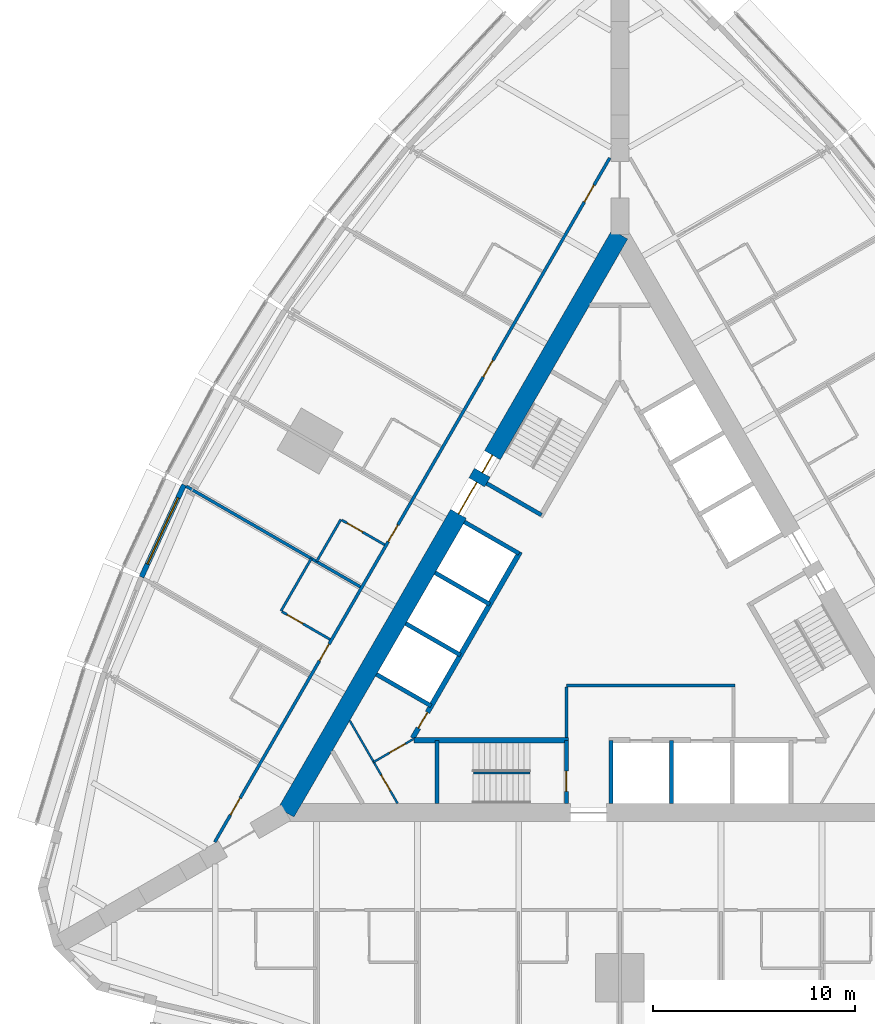
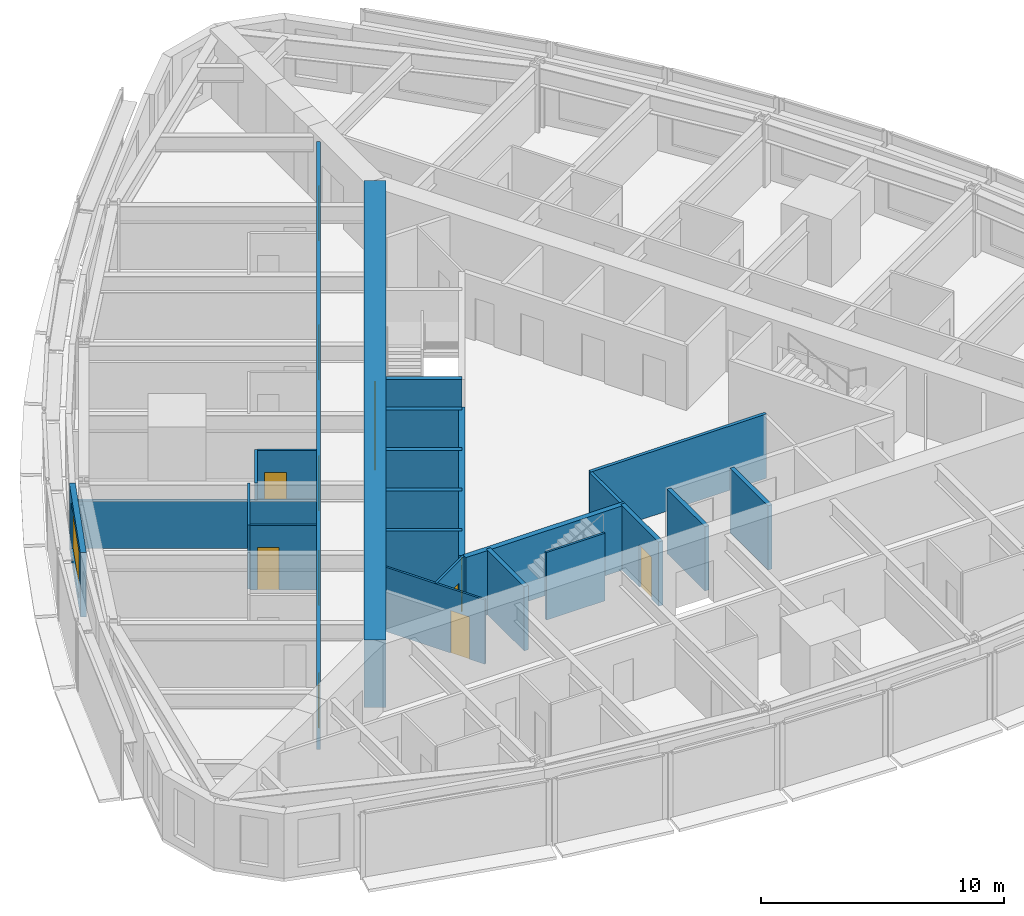
# One storey, part 9 of 14: 24 walls, 13 doors, 1 window, 14 openings.
"""IFC4 building model written with IfcOpenShell, lengths in metres."""

from ifc_helpers import new_model, si_unit, direction, frame, frame_2d, origin, place, context, subcontext, project, spatial, rectangle, extrude, material, layer, layer_set, type_object, element, fill, save


model = new_model("IFC4")

# Units and contexts
model_context = context("Model", 3, precision=1e-05, world=origin(), true_north=direction((0.0, 1.0)))
body_context = subcontext(model_context, "Body", "Model", "MODEL_VIEW")
ifc_project = project(units=[si_unit("LENGTHUNIT", "METRE"), si_unit("AREAUNIT", "SQUARE_METRE"), si_unit("VOLUMEUNIT", "CUBIC_METRE"), si_unit("PLANEANGLEUNIT", "RADIAN"), si_unit("MASSUNIT", "GRAM", prefix="KILO")], contexts=[model_context])

# Site, building, storey
site_placement = place(None, origin())
site = spatial("IfcSite", under=ifc_project, at=site_placement, CompositionType="ELEMENT")
building_placement = place(site_placement, origin())
building = spatial("IfcBuilding", under=site, at=building_placement, Name="Trikona Tower", CompositionType="ELEMENT")
storey_placement = place(building_placement, frame((0.0, 0.0, 76.10009765625)))
storey = spatial("IfcBuildingStorey", under=building, at=storey_placement, Name="L19", CompositionType="ELEMENT", Elevation=76.10009765625)

# Wall
ifc_material_1 = material(Name="Metal stud and cement board", Category="gypsum")
ifc_layer_1 = layer(ifc_material_1, 0.1201171875)
ifc_layer_set_1 = layer_set([ifc_layer_1], Name="Bathroom wall 120")
wall_type_1 = type_object("IfcWallType", Name="Bathroom wall 120", PredefinedType="PLUMBINGWALL", material=ifc_layer_set_1)
wall_1_placement = place(storey_placement, frame((-13.79345703125, 4.96142578125, 0.0), z_axis=(0.0, 0.0, 1.0), x_axis=(-0.500001309137, -0.866024647952, 0.0)))
element("IfcWall", 1, at=wall_1_placement, inside=storey, type_object=wall_type_1, Name="Bathroom wall 1914", PredefinedType="PLUMBINGWALL", context=body_context, shape_type="SweptSolid", body=[
    extrude(rectangle(XDim=2.39990234375, YDim=0.1201171875, at=frame_2d((1.199951171875, 0.0))), origin(), (0.0, 0.0, 1.0), 3.23486328125),
])

# Wall, opening, door
wall_2_placement = place(storey_placement, frame((-11.62841796875, 3.71142578125, 0.0), z_axis=(0.0, 0.0, 1.0), x_axis=(-0.866048967903, 0.499959183527, 0.0)))
wall_2 = element("IfcWall", 2, at=wall_2_placement, inside=storey, type_object=wall_type_1, Name="Bathroom wall 1914", PredefinedType="PLUMBINGWALL", context=body_context, shape_type="SweptSolid", body=[
    extrude(rectangle(XDim=2.440185546875, YDim=0.1201171875, at=frame_2d((1.22021484375, 0.0))), origin(), (0.0, 0.0, 1.0), 3.23486328125),
])
opening_1_placement = place(wall_2_placement, frame((1.25, 0.0, 0.0)))
opening_1 = element("IfcOpeningElement", 3, at=opening_1_placement, cuts=wall_2, Name="Opening D2", PredefinedType="OPENING", context=body_context, shape_type="SweptSolid", body=[
    extrude(rectangle(XDim=0.89990234375, YDim=2.1298828125, at=frame_2d((0.449951171875, 1.06494140625))), frame((0.0, 0.070068359375, 0.0), z_axis=(0.0, -1.0, 0.0), x_axis=(1.0, 0.0, 0.0)), (0.0, 0.0, 1.0), 0.14013671875),
])
ifc_material_2 = material(Name="Steel door frame with solid-core timber leaf", Category="steel")
door_type_1 = type_object("IfcDoorType", Name="Bathroom door 900x2130", OperationType="SLIDING_TO_LEFT", PredefinedType="DOOR", material=ifc_material_2)
door_1_placement = place(opening_1_placement, origin())
door_1 = element("IfcDoor", 4, at=door_1_placement, inside=storey, type_object=door_type_1, Name="Bathroom door 1914", OperationType="SLIDING_TO_LEFT", OverallHeight=2.1298828125, OverallWidth=0.89990234375, PredefinedType="DOOR", context=body_context, shape_type="SweptSolid", body=[
    extrude(rectangle(XDim=0.89990234375, YDim=2.1298828125, at=frame_2d((0.449951171875, 1.06494140625))), frame((0.0, 0.02490234375, 0.0), z_axis=(0.0, -1.0, 0.0), x_axis=(1.0, 0.0, 0.0)), (0.0, 0.0, 1.0), 0.050048828125),
])
fill(opening_1, door_1)

# Wall
wall_3_placement = place(storey_placement, frame((-15.25341796875, 3.032958984375, 0.0), z_axis=(0.0, 0.0, 1.0), x_axis=(-0.499990139034, -0.866031096941, 0.0)))
element("IfcWall", 5, at=wall_3_placement, inside=storey, type_object=wall_type_1, Name="Bathroom wall 1915", PredefinedType="PLUMBINGWALL", context=body_context, shape_type="SweptSolid", body=[
    extrude(rectangle(XDim=3.0, YDim=0.1201171875, at=frame_2d((1.5, 0.0))), origin(), (0.0, 0.0, 1.0), 3.23486328125),
])

# Wall, opening, door
wall_4_placement = place(storey_placement, frame((-14.32861328125, -0.965087890625, 0.0), z_axis=(0.0, 0.0, 1.0), x_axis=(-0.866035715982, 0.499982138324, 0.0)))
wall_4 = element("IfcWall", 6, at=wall_4_placement, inside=storey, type_object=wall_type_1, Name="Bathroom wall 1915", PredefinedType="PLUMBINGWALL", context=body_context, shape_type="SweptSolid", body=[
    extrude(rectangle(XDim=2.73974609375, YDim=0.1201171875, at=frame_2d((1.369873046875, 0.0))), origin(), (0.0, 0.0, 1.0), 3.23486328125),
])
opening_2_placement = place(wall_4_placement, frame((1.550048828125, 0.0, 0.0)))
opening_2 = element("IfcOpeningElement", 7, at=opening_2_placement, cuts=wall_4, Name="Opening D2", PredefinedType="OPENING", context=body_context, shape_type="SweptSolid", body=[
    extrude(rectangle(XDim=0.89990234375, YDim=2.1298828125, at=frame_2d((0.449951171875, 1.06494140625))), frame((0.0, 0.070068359375, 0.0), z_axis=(0.0, -1.0, 0.0), x_axis=(1.0, 0.0, 0.0)), (0.0, 0.0, 1.0), 0.14013671875),
])
door_2_placement = place(opening_2_placement, origin())
door_2 = element("IfcDoor", 8, at=door_2_placement, inside=storey, type_object=door_type_1, Name="Bathroom door 1915", OperationType="SLIDING_TO_LEFT", OverallHeight=2.1298828125, OverallWidth=0.89990234375, PredefinedType="DOOR", context=body_context, shape_type="SweptSolid", body=[
    extrude(rectangle(XDim=0.89990234375, YDim=2.1298828125, at=frame_2d((0.449951171875, 1.06494140625))), frame((0.0, 0.02490234375, 0.0), z_axis=(0.0, -1.0, 0.0), x_axis=(1.0, 0.0, 0.0)), (0.0, 0.0, 1.0), 0.050048828125),
])
fill(opening_2, door_2)

# Wall, openings, doors
ifc_material_3 = material(Name="Concrete f'c 10000 psi", Category="concrete")
ifc_layer_2 = layer(ifc_material_3, 0.89990234375)
ifc_layer_set_2 = layer_set([ifc_layer_2], Name="Core wall 900")
wall_type_2 = type_object("IfcWallType", Name="Core wall 900", PredefinedType="SHEAR", material=ifc_layer_set_2)
wall_5_placement = place(storey_placement, frame((0.0, 19.052490234375, 0.0), z_axis=(0.0, 0.0, 1.0), x_axis=(-0.499999749417, -0.866025548458, 0.0)))
wall_5 = element("IfcWall", 9, at=wall_5_placement, inside=storey, type_object=wall_type_2, Name="Core wall C", PredefinedType="SHEAR", context=body_context, shape_type="SweptSolid", body=[
    extrude(rectangle(XDim=33.0, YDim=0.89990234375, at=frame_2d((16.5, 0.0))), origin(), (0.0, 0.0, 1.0), 3.39990234375),
])
opening_3_placement = place(wall_5_placement, frame((14.14990234375, 0.0, 0.0)))
opening_3 = element("IfcOpeningElement", 10, at=opening_3_placement, cuts=wall_5, Name="Opening D6", PredefinedType="OPENING", context=body_context, shape_type="SweptSolid", body=[
    extrude(rectangle(XDim=1.800048828125, YDim=2.1298828125, at=frame_2d((0.89990234375, 1.06494140625))), frame((0.0, 0.4599609375, 0.0), z_axis=(0.0, -1.0, 0.0), x_axis=(1.0, 0.0, 0.0)), (0.0, 0.0, 1.0), 0.919921875),
])
opening_4_placement = place(wall_5_placement, frame((12.60009765625, 0.0, 0.0)))
opening_4 = element("IfcOpeningElement", 11, at=opening_4_placement, cuts=wall_5, Name="Opening D5", PredefinedType="OPENING", context=body_context, shape_type="SweptSolid", body=[
    extrude(rectangle(XDim=1.0, YDim=2.1298828125, at=frame_2d((0.5, 1.06494140625))), frame((0.0, 0.4599609375, 0.0), z_axis=(0.0, -1.0, 0.0), x_axis=(1.0, 0.0, 0.0)), (0.0, 0.0, 1.0), 0.919921875),
])
ifc_material_4 = material(Name="Hollow metal door and frame", Category="steel")
door_type_2 = type_object("IfcDoorType", Name="Lobby door pair 1800x2130", OperationType="DOUBLE_DOOR_SINGLE_SWING", PredefinedType="DOOR", material=ifc_material_4)
door_3_placement = place(opening_3_placement, origin())
door_3 = element("IfcDoor", 12, at=door_3_placement, inside=storey, type_object=door_type_2, Name="Lift lobby door C", OperationType="DOUBLE_DOOR_SINGLE_SWING", OverallHeight=2.1298828125, OverallWidth=1.800048828125, PredefinedType="DOOR", context=body_context, shape_type="SweptSolid", body=[
    extrude(rectangle(XDim=1.800048828125, YDim=2.1298828125, at=frame_2d((0.89990234375, 1.06494140625))), frame((0.0, 0.02490234375, 0.0), z_axis=(0.0, -1.0, 0.0), x_axis=(1.0, 0.0, 0.0)), (0.0, 0.0, 1.0), 0.050048828125),
])
fill(opening_3, door_3)
ifc_material_5 = material(Name="Hollow metal door and frame", Category="steel")
door_type_3 = type_object("IfcDoorType", Name="Stair door 1000x2130", OperationType="SINGLE_SWING_LEFT", PredefinedType="DOOR", material=ifc_material_5)
door_4_placement = place(opening_4_placement, origin())
door_4 = element("IfcDoor", 13, at=door_4_placement, inside=storey, type_object=door_type_3, Name="Stair C door", OperationType="SINGLE_SWING_RIGHT", OverallHeight=2.1298828125, OverallWidth=1.0, PredefinedType="DOOR", context=body_context, shape_type="SweptSolid", body=[
    extrude(rectangle(XDim=1.0, YDim=2.1298828125, at=frame_2d((0.5, 1.06494140625))), frame((0.0, 0.02490234375, 0.0), z_axis=(0.0, -1.0, 0.0), x_axis=(1.0, 0.0, 0.0)), (0.0, 0.0, 1.0), 0.050048828125),
])
fill(opening_4, door_4)

ifc_material_6 = material(Name="Metal stud and gypsum board, 1-hour", Category="gypsum")
ifc_layer_3 = layer(ifc_material_6, 0.14990234375)
ifc_layer_set_3 = layer_set([ifc_layer_3], Name="Corridor wall 150")
wall_type_3 = type_object("IfcWallType", Name="Corridor wall 150", PredefinedType="PARTITIONING", material=ifc_layer_set_3)
wall_6_placement = place(storey_placement, frame((-0.5, 22.83642578125, 0.0), z_axis=(0.0, 0.0, 1.0), x_axis=(-0.500001677587, -0.866024435227, 0.0)))
wall_6 = element("IfcWall", 14, at=wall_6_placement, inside=storey, type_object=wall_type_3, Name="Corridor wall L19-3", PredefinedType="PARTITIONING", context=body_context, shape_type="SweptSolid", body=[
    extrude(rectangle(XDim=39.053955078125, YDim=0.14990234375, at=frame_2d((19.52685546875, 0.0))), origin(), (0.0, 0.0, 1.0), 3.23486328125),
])
opening_5_placement = place(wall_6_placement, frame((1.558349609375, 0.0, 0.0)))
opening_5 = element("IfcOpeningElement", 15, at=opening_5_placement, cuts=wall_6, Name="Opening D1", PredefinedType="OPENING", context=body_context, shape_type="SweptSolid", body=[
    extrude(rectangle(XDim=0.949951171875, YDim=2.1298828125, at=frame_2d((0.47509765625, 1.06494140625))), frame((0.0, 0.0849609375, 0.0), z_axis=(0.0, -1.0, 0.0), x_axis=(1.0, 0.0, 0.0)), (0.0, 0.0, 1.0), 0.169921875),
])
opening_6_placement = place(wall_6_placement, frame((11.552001953125, 0.0, 0.0)))
opening_6 = element("IfcOpeningElement", 16, at=opening_6_placement, cuts=wall_6, Name="Opening D1", PredefinedType="OPENING", context=body_context, shape_type="SweptSolid", body=[
    extrude(rectangle(XDim=0.949951171875, YDim=2.1298828125, at=frame_2d((0.47509765625, 1.06494140625))), frame((0.0, 0.0849609375, 0.0), z_axis=(0.0, -1.0, 0.0), x_axis=(1.0, 0.0, 0.0)), (0.0, 0.0, 1.0), 0.169921875),
])
opening_7_placement = place(wall_6_placement, frame((20.951904296875, 0.0, 0.0)))
opening_7 = element("IfcOpeningElement", 17, at=opening_7_placement, cuts=wall_6, Name="Opening D1", PredefinedType="OPENING", context=body_context, shape_type="SweptSolid", body=[
    extrude(rectangle(XDim=0.949951171875, YDim=2.1298828125, at=frame_2d((0.47509765625, 1.06494140625))), frame((0.0, 0.0849609375, 0.0), z_axis=(0.0, -1.0, 0.0), x_axis=(1.0, 0.0, 0.0)), (0.0, 0.0, 1.0), 0.169921875),
])
opening_8_placement = place(wall_6_placement, frame((27.751953125, 0.0, 0.0)))
opening_8 = element("IfcOpeningElement", 18, at=opening_8_placement, cuts=wall_6, Name="Opening D1", PredefinedType="OPENING", context=body_context, shape_type="SweptSolid", body=[
    extrude(rectangle(XDim=0.949951171875, YDim=2.1298828125, at=frame_2d((0.47509765625, 1.06494140625))), frame((0.0, 0.0849609375, 0.0), z_axis=(0.0, -1.0, 0.0), x_axis=(1.0, 0.0, 0.0)), (0.0, 0.0, 1.0), 0.169921875),
])
opening_9_placement = place(wall_6_placement, frame((36.545654296875, 0.0, 0.0)))
opening_9 = element("IfcOpeningElement", 19, at=opening_9_placement, cuts=wall_6, Name="Opening D1", PredefinedType="OPENING", context=body_context, shape_type="SweptSolid", body=[
    extrude(rectangle(XDim=0.949951171875, YDim=2.1298828125, at=frame_2d((0.47509765625, 1.06494140625))), frame((0.0, 0.0849609375, 0.0), z_axis=(0.0, -1.0, 0.0), x_axis=(1.0, 0.0, 0.0)), (0.0, 0.0, 1.0), 0.169921875),
])
ifc_material_7 = material(Name="Steel door frame with solid-core timber leaf", Category="steel")
door_type_4 = type_object("IfcDoorType", Name="Guest room door 950x2130", OperationType="SINGLE_SWING_LEFT", PredefinedType="DOOR", material=ifc_material_7)
door_5_placement = place(opening_5_placement, origin())
door_5 = element("IfcDoor", 20, at=door_5_placement, inside=storey, type_object=door_type_4, Name="Room door 1912", OperationType="SINGLE_SWING_LEFT", OverallHeight=2.1298828125, OverallWidth=0.949951171875, PredefinedType="DOOR", context=body_context, shape_type="SweptSolid", body=[
    extrude(rectangle(XDim=0.949951171875, YDim=2.1298828125, at=frame_2d((0.47509765625, 1.06494140625))), frame((0.0, 0.02490234375, 0.0), z_axis=(0.0, -1.0, 0.0), x_axis=(1.0, 0.0, 0.0)), (0.0, 0.0, 1.0), 0.050048828125),
])
fill(opening_5, door_5)
door_6_placement = place(opening_6_placement, origin())
door_6 = element("IfcDoor", 21, at=door_6_placement, inside=storey, type_object=door_type_4, Name="Room door 1913", OperationType="SINGLE_SWING_RIGHT", OverallHeight=2.1298828125, OverallWidth=0.949951171875, PredefinedType="DOOR", context=body_context, shape_type="SweptSolid", body=[
    extrude(rectangle(XDim=0.949951171875, YDim=2.1298828125, at=frame_2d((0.47509765625, 1.06494140625))), frame((0.0, 0.02490234375, 0.0), z_axis=(0.0, -1.0, 0.0), x_axis=(1.0, 0.0, 0.0)), (0.0, 0.0, 1.0), 0.050048828125),
])
fill(opening_6, door_6)
door_7_placement = place(opening_7_placement, origin())
door_7 = element("IfcDoor", 22, at=door_7_placement, inside=storey, type_object=door_type_4, Name="Room door 1914", OperationType="SINGLE_SWING_LEFT", OverallHeight=2.1298828125, OverallWidth=0.949951171875, PredefinedType="DOOR", context=body_context, shape_type="SweptSolid", body=[
    extrude(rectangle(XDim=0.949951171875, YDim=2.1298828125, at=frame_2d((0.47509765625, 1.06494140625))), frame((0.0, 0.02490234375, 0.0), z_axis=(0.0, -1.0, 0.0), x_axis=(1.0, 0.0, 0.0)), (0.0, 0.0, 1.0), 0.050048828125),
])
fill(opening_7, door_7)
door_8_placement = place(opening_8_placement, origin())
door_8 = element("IfcDoor", 23, at=door_8_placement, inside=storey, type_object=door_type_4, Name="Room door 1915", OperationType="SINGLE_SWING_RIGHT", OverallHeight=2.1298828125, OverallWidth=0.949951171875, PredefinedType="DOOR", context=body_context, shape_type="SweptSolid", body=[
    extrude(rectangle(XDim=0.949951171875, YDim=2.1298828125, at=frame_2d((0.47509765625, 1.06494140625))), frame((0.0, 0.02490234375, 0.0), z_axis=(0.0, -1.0, 0.0), x_axis=(1.0, 0.0, 0.0)), (0.0, 0.0, 1.0), 0.050048828125),
])
fill(opening_8, door_8)
door_9_placement = place(opening_9_placement, origin())
door_9 = element("IfcDoor", 24, at=door_9_placement, inside=storey, type_object=door_type_4, Name="Room door 1916", OperationType="SINGLE_SWING_RIGHT", OverallHeight=2.1298828125, OverallWidth=0.949951171875, PredefinedType="DOOR", context=body_context, shape_type="SweptSolid", body=[
    extrude(rectangle(XDim=0.949951171875, YDim=2.1298828125, at=frame_2d((0.47509765625, 1.06494140625))), frame((0.0, 0.02490234375, 0.0), z_axis=(0.0, -1.0, 0.0), x_axis=(1.0, 0.0, 0.0)), (0.0, 0.0, 1.0), 0.050048828125),
])
fill(opening_9, door_9)

# Wall
ifc_material_8 = material(Name="Concrete f'c 8000 psi", Category="concrete")
ifc_layer_4 = layer(ifc_material_8, 0.25)
ifc_layer_set_4 = layer_set([ifc_layer_4], Name="Hub wall 250")
wall_type_4 = type_object("IfcWallType", Name="Hub wall 250", PredefinedType="SOLIDWALL", material=ifc_layer_set_4)
wall_7_placement = place(storey_placement, frame((-10.182861328125, -5.951416015625, 0.0), z_axis=(0.0, 0.0, 1.0), x_axis=(1.0, 0.0, 0.0)))
element("IfcWall", 25, at=wall_7_placement, inside=storey, type_object=wall_type_4, Name="Lift lobby wall A1", PredefinedType="SOLIDWALL", context=body_context, shape_type="SweptSolid", body=[
    extrude(rectangle(XDim=7.6328125, YDim=0.25, at=frame_2d((3.81640625, 0.0))), origin(), (0.0, 0.0, 1.0), 3.23486328125),
])

# Wall, opening, door
wall_8_placement = place(storey_placement, frame((-4.928955078125, 3.365478515625, 0.0), z_axis=(0.0, 0.0, 1.0), x_axis=(-0.499991433582, -0.866030349552, 0.0)))
wall_8 = element("IfcWall", 26, at=wall_8_placement, inside=storey, type_object=wall_type_4, Name="Lift lobby wall C2", PredefinedType="SOLIDWALL", context=body_context, shape_type="SweptSolid", body=[
    extrude(rectangle(XDim=10.633056640625, YDim=0.25, at=frame_2d((5.31640625, 0.0))), origin(), (0.0, 0.0, 1.0), 3.23486328125),
])
opening_10_placement = place(wall_8_placement, frame((9.1640625, 0.0, 0.0)))
opening_10 = element("IfcOpeningElement", 27, at=opening_10_placement, cuts=wall_8, Name="Opening D14", PredefinedType="OPENING", context=body_context, shape_type="SweptSolid", body=[
    extrude(rectangle(XDim=0.89990234375, YDim=2.1298828125, at=frame_2d((0.449951171875, 1.06494140625))), frame((0.0, 0.135009765625, 0.0), z_axis=(0.0, -1.0, 0.0), x_axis=(1.0, 0.0, 0.0)), (0.0, 0.0, 1.0), 0.27001953125),
])
ifc_material_9 = material(Name="Hollow metal door and frame", Category="steel")
door_type_5 = type_object("IfcDoorType", Name="Service room door 900x2130", OperationType="SINGLE_SWING_LEFT", PredefinedType="DOOR", material=ifc_material_9)
door_10_placement = place(opening_10_placement, origin())
door_10 = element("IfcDoor", 28, at=door_10_placement, inside=storey, type_object=door_type_5, Name="Door Linen store LIN", OperationType="SINGLE_SWING_RIGHT", OverallHeight=2.1298828125, OverallWidth=0.89990234375, PredefinedType="DOOR", context=body_context, shape_type="SweptSolid", body=[
    extrude(rectangle(XDim=0.89990234375, YDim=2.1298828125, at=frame_2d((0.449951171875, 1.06494140625))), frame((0.0, 0.02490234375, 0.0), z_axis=(0.0, -1.0, 0.0), x_axis=(1.0, 0.0, 0.0)), (0.0, 0.0, 1.0), 0.050048828125),
])
fill(opening_10, door_10)

# Wall, opening, window
ifc_material_10 = material(Name="Insulated precast concrete spandrel panel", Category="concrete")
ifc_layer_5 = layer(ifc_material_10, 0.25)
ifc_layer_set_5 = layer_set([ifc_layer_5], Name="Inner skin wall 250")
wall_type_5 = type_object("IfcWallType", Name="Inner skin wall 250", PredefinedType="STANDARD", material=ifc_layer_set_5)
wall_9_placement = place(storey_placement, frame((-21.543212890625, 6.677734375, 0.0), z_axis=(0.0, 0.0, 1.0), x_axis=(-0.419203100754, -0.907892482796, 0.0)))
wall_9 = element("IfcWall", 29, at=wall_9_placement, inside=storey, type_object=wall_type_5, Name="External wall L19-29", PredefinedType="STANDARD", context=body_context, shape_type="SweptSolid", body=[
    extrude(rectangle(XDim=5.020751953125, YDim=0.25, at=frame_2d((2.51025390625, 0.0))), origin(), (0.0, 0.0, 1.0), 3.23486328125),
])
opening_11_placement = place(wall_9_placement, frame((0.71044921875, 0.0, 0.449951171875)))
opening_11 = element("IfcOpeningElement", 30, at=opening_11_placement, cuts=wall_9, Name="Opening W3624", PredefinedType="OPENING", context=body_context, shape_type="SweptSolid", body=[
    extrude(rectangle(XDim=3.60009765625, YDim=2.39990234375, at=frame_2d((1.800048828125, 1.199951171875))), frame((0.0, 0.135009765625, 0.0), z_axis=(0.0, -1.0, 0.0), x_axis=(1.0, 0.0, 0.0)), (0.0, 0.0, 1.0), 0.27001953125),
])
ifc_material_11 = material(Name="Aluminium-framed double glazing", Category="aluminium")
window_type = type_object("IfcWindowType", Name="Window 3600x2400", PartitioningType="SINGLE_PANEL", PredefinedType="WINDOW", material=ifc_material_11)
window_placement = place(opening_11_placement, origin())
window = element("IfcWindow", 31, at=window_placement, inside=storey, type_object=window_type, Name="Window 1915", OverallHeight=2.39990234375, OverallWidth=3.60009765625, PartitioningType="SINGLE_PANEL", PredefinedType="WINDOW", context=body_context, shape_type="SweptSolid", body=[
    extrude(rectangle(XDim=3.60009765625, YDim=2.39990234375, at=frame_2d((1.800048828125, 1.199951171875))), frame((0.0, 0.030029296875, 0.0), z_axis=(0.0, -1.0, 0.0), x_axis=(1.0, 0.0, 0.0)), (0.0, 0.0, 1.0), 0.06005859375),
])
fill(opening_11, window)

# Walls
ifc_material_12 = material(Name="Metal stud and gypsum board, 2-hour shaft wall", Category="gypsum")
ifc_layer_6 = layer(ifc_material_12, 0.14990234375)
ifc_layer_set_6 = layer_set([ifc_layer_6], Name="Lobby wall 150")
wall_type_6 = type_object("IfcWallType", Name="Lobby wall 150", PredefinedType="PARTITIONING", material=ifc_layer_set_6)
wall_10_placement = place(storey_placement, frame((-2.64990234375, -3.251220703125, 0.0), z_axis=(0.0, 0.0, 1.0), x_axis=(1.0, 0.0, 0.0)))
element("IfcWall", 32, at=wall_10_placement, inside=storey, type_object=wall_type_6, Name="Fire service lift lobby wall 1", PredefinedType="PARTITIONING", context=body_context, shape_type="SweptSolid", body=[
    extrude(rectangle(XDim=8.349853515625, YDim=0.14990234375, at=frame_2d((4.1748046875, 0.0))), origin(), (0.0, 0.0, 1.0), 3.23486328125),
])
wall_11_placement = place(storey_placement, frame((-2.64990234375, -5.826416015625, 0.0), z_axis=(0.0, 0.0, 1.0), x_axis=(0.0, 1.0, 0.0)))
element("IfcWall", 33, at=wall_11_placement, inside=storey, type_object=wall_type_6, Name="Fire service lift lobby wall 2", PredefinedType="PARTITIONING", context=body_context, shape_type="SweptSolid", body=[
    extrude(rectangle(XDim=2.5, YDim=0.14990234375, at=frame_2d((1.25, 0.0))), origin(), (0.0, 0.0, 1.0), 3.23486328125),
])
ifc_material_13 = material(Name="Metal stud and gypsum board, 1-hour acoustic", Category="gypsum")
ifc_layer_7 = layer(ifc_material_13, 0.14990234375)
ifc_layer_set_7 = layer_set([ifc_layer_7], Name="Party wall 150")
wall_type_7 = type_object("IfcWallType", Name="Party wall 150", PredefinedType="PARTITIONING", material=ifc_layer_set_7)
wall_12_placement = place(storey_placement, frame((-12.82861328125, 1.633056640625, 0.0), z_axis=(0.0, 0.0, 1.0), x_axis=(-0.866026934769, 0.499997348248, 0.0)))
element("IfcWall", 34, at=wall_12_placement, inside=storey, type_object=wall_type_7, Name="Partition L19 F3 u5", PredefinedType="PARTITIONING", context=body_context, shape_type="SweptSolid", body=[
    extrude(rectangle(XDim=9.94287109375, YDim=0.14990234375, at=frame_2d((4.971435546875, 0.0))), origin(), (0.0, 0.0, 1.0), 2.38916015625),
])
ifc_material_14 = material(Name="Concrete f'c 8000 psi", Category="concrete")
ifc_layer_8 = layer(ifc_material_14, 0.199951171875)
ifc_layer_set_8 = layer_set([ifc_layer_8], Name="Shaft wall 200")
wall_type_8 = type_object("IfcWallType", Name="Shaft wall 200", PredefinedType="SOLIDWALL", material=ifc_layer_set_8)
for number, where, z_axis, x_axis, name in (
    (35, (-0.449951171875, -5.951416015625, 0.0), (0.0, 0.0, 1.0), (0.0, -1.0, 0.0), "Shaft wall A3"),
    (36, (2.550048828125, -5.951416015625, 0.0), (0.0, 0.0, 1.0), (0.0, -1.0, 0.0), "Shaft wall A4"),
    (37, (-4.97900390625, 3.27880859375, 0.0), (0.0, 0.0, 1.0), (-0.866022959057, 0.500004234368, 0.0), "Shaft wall C3"),
    (38, (-6.428955078125, 0.767333984375, 0.0), (0.0, 0.0, 1.0), (-0.866022959057, 0.500004234368, 0.0), "Shaft wall C4"),
    (39, (-7.87890625, -1.744140625, 0.0), (0.0, 0.0, 1.0), (-0.866022959057, 0.500004234368, 0.0), "Shaft wall C5"),
    (40, (-9.3291015625, -4.255615234375, 0.0), (0.0, 0.0, 1.0), (-0.866022959057, 0.500004234368, 0.0), "Shaft wall C6"),
):
    element("IfcWall", number, at=place(storey_placement, frame(where, z_axis=z_axis, x_axis=x_axis)), inside=storey, type_object=wall_type_8, Name=name, PredefinedType="SOLIDWALL", context=body_context, shape_type="SweptSolid", body=[
        extrude(rectangle(XDim=3.125, YDim=0.199951171875, at=frame_2d((1.5625, 0.0))), origin(), (0.0, 0.0, 1.0), 3.23486328125),
    ])
ifc_material_15 = material(Name="Concrete f'c 8000 psi", Category="concrete")
ifc_layer_9 = layer(ifc_material_15, 0.199951171875)
ifc_layer_set_9 = layer_set([ifc_layer_9], Name="Shaft wall 200 load-bearing")
wall_type_9 = type_object("IfcWallType", Name="Shaft wall 200 load-bearing", PredefinedType="SOLIDWALL", material=ifc_layer_set_9)
wall_13_placement = place(storey_placement, frame((-9.050048828125, -5.951416015625, 0.0), z_axis=(0.0, 0.0, 1.0), x_axis=(0.0, -1.0, 0.0)))
element("IfcWall", 41, at=wall_13_placement, inside=storey, type_object=wall_type_9, Name="Shaft wall A1", PredefinedType="SOLIDWALL", context=body_context, shape_type="SweptSolid", body=[
    extrude(rectangle(XDim=3.125, YDim=0.199951171875, at=frame_2d((1.5625, 0.0))), origin(), (0.0, 0.0, 1.0), 3.23486328125),
])

# Wall, opening, door
wall_14_placement = place(storey_placement, frame((-2.64990234375, -5.951416015625, 0.0), z_axis=(0.0, 0.0, 1.0), x_axis=(0.0, -1.0, 0.0)))
wall_14 = element("IfcWall", 42, at=wall_14_placement, inside=storey, type_object=wall_type_9, Name="Shaft wall A2", PredefinedType="SOLIDWALL", context=body_context, shape_type="SweptSolid", body=[
    extrude(rectangle(XDim=3.125, YDim=0.199951171875, at=frame_2d((1.5625, 0.0))), origin(), (0.0, 0.0, 1.0), 3.23486328125),
])
opening_12_placement = place(wall_14_placement, frame((1.52490234375, 0.0, 0.0)))
opening_12 = element("IfcOpeningElement", 43, at=opening_12_placement, cuts=wall_14, Name="Opening D5", PredefinedType="OPENING", context=body_context, shape_type="SweptSolid", body=[
    extrude(rectangle(XDim=1.0, YDim=2.1298828125, at=frame_2d((0.5, 1.06494140625))), frame((0.0, 0.10986328125, 0.0), z_axis=(0.0, -1.0, 0.0), x_axis=(1.0, 0.0, 0.0)), (0.0, 0.0, 1.0), 0.219970703125),
])
door_11_placement = place(opening_12_placement, origin())
door_11 = element("IfcDoor", 44, at=door_11_placement, inside=storey, type_object=door_type_3, Name="Stair A door", OperationType="SINGLE_SWING_RIGHT", OverallHeight=2.1298828125, OverallWidth=1.0, PredefinedType="DOOR", context=body_context, shape_type="SweptSolid", body=[
    extrude(rectangle(XDim=1.0, YDim=2.1298828125, at=frame_2d((0.5, 1.06494140625))), frame((0.0, 0.02490234375, 0.0), z_axis=(0.0, -1.0, 0.0), x_axis=(1.0, 0.0, 0.0)), (0.0, 0.0, 1.0), 0.050048828125),
])
fill(opening_12, door_11)

# Walls
wall_15_placement = place(storey_placement, frame((-3.87890625, 5.18408203125, 0.0), z_axis=(0.0, 0.0, 1.0), x_axis=(-0.866022959057, 0.500004234368, 0.0)))
element("IfcWall", 45, at=wall_15_placement, inside=storey, type_object=wall_type_9, Name="Shaft wall C2", PredefinedType="SOLIDWALL", context=body_context, shape_type="SweptSolid", body=[
    extrude(rectangle(XDim=3.125, YDim=0.199951171875, at=frame_2d((1.5625, 0.0))), origin(), (0.0, 0.0, 1.0), 3.23486328125),
])
ifc_material_16 = material(Name="Concrete f'c 5000 psi", Category="concrete")
ifc_layer_10 = layer(ifc_material_16, 0.10009765625)
ifc_layer_set_10 = layer_set([ifc_layer_10], Name="Stair spine wall 100")
wall_type_10 = type_object("IfcWallType", Name="Stair spine wall 100", PredefinedType="SOLIDWALL", material=ifc_layer_set_10)
wall_16_placement = place(storey_placement, frame((-7.2470703125, -7.576416015625, 0.0), z_axis=(0.0, 0.0, 1.0), x_axis=(1.0, 0.0, 0.0)))
element("IfcWall", 46, at=wall_16_placement, inside=storey, type_object=wall_type_10, Name="Stair A spine wall L19", PredefinedType="SOLIDWALL", context=body_context, shape_type="SweptSolid", body=[
    extrude(rectangle(XDim=2.794189453125, YDim=0.10009765625, at=frame_2d((1.39697265625, 0.0))), origin(), (0.0, 0.0, 1.0), 3.39990234375),
])

# Wall, opening, door
ifc_material_17 = material(Name="Metal stud and gypsum board, acoustic", Category="gypsum")
ifc_layer_11 = layer(ifc_material_17, 0.10009765625)
ifc_layer_set_11 = layer_set([ifc_layer_11], Name="Suite partition 100")
wall_type_11 = type_object("IfcWallType", Name="Suite partition 100", PredefinedType="PARTITIONING", material=ifc_layer_set_11)
wall_17_placement = place(storey_placement, frame((-10.986328125, -9.076416015625, 0.0), z_axis=(0.0, 0.0, 1.0), x_axis=(-0.499999210213, 0.866025859768, 0.0)))
wall_17 = element("IfcWall", 47, at=wall_17_placement, inside=storey, type_object=wall_type_11, Name="Store partition L19-RS3", PredefinedType="PARTITIONING", context=body_context, shape_type="SweptSolid", body=[
    extrude(rectangle(XDim=4.734375, YDim=0.10009765625, at=frame_2d((2.3671875, 0.0))), origin(), (0.0, 0.0, 1.0), 3.23486328125),
])
opening_13_placement = place(wall_17_placement, frame((0.733642578125, 0.0, 0.0)))
opening_13 = element("IfcOpeningElement", 48, at=opening_13_placement, cuts=wall_17, Name="Opening D15", PredefinedType="OPENING", context=body_context, shape_type="SweptSolid", body=[
    extrude(rectangle(XDim=0.89990234375, YDim=2.1298828125, at=frame_2d((0.449951171875, 1.06494140625))), frame((0.0, 0.06005859375, 0.0), z_axis=(0.0, -1.0, 0.0), x_axis=(1.0, 0.0, 0.0)), (0.0, 0.0, 1.0), 0.1201171875),
])
ifc_material_18 = material(Name="Steel door frame with solid-core timber leaf", Category="steel")
door_type_6 = type_object("IfcDoorType", Name="Store door 900x2130", OperationType="SINGLE_SWING_LEFT", PredefinedType="DOOR", material=ifc_material_18)
door_12_placement = place(opening_13_placement, origin())
door_12 = element("IfcDoor", 49, at=door_12_placement, inside=storey, type_object=door_type_6, Name="Door Amenity store AMS", OperationType="SINGLE_SWING_LEFT", OverallHeight=2.1298828125, OverallWidth=0.89990234375, PredefinedType="DOOR", context=body_context, shape_type="SweptSolid", body=[
    extrude(rectangle(XDim=0.89990234375, YDim=2.1298828125, at=frame_2d((0.449951171875, 1.06494140625))), frame((0.0, 0.02490234375, 0.0), z_axis=(0.0, -1.0, 0.0), x_axis=(1.0, 0.0, 0.0)), (0.0, 0.0, 1.0), 0.050048828125),
])
fill(opening_13, door_12)

wall_18_placement = place(storey_placement, frame((-12.169921875, -7.0263671875, 0.0), z_axis=(0.0, 0.0, 1.0), x_axis=(0.866015833478, 0.50001657589, 0.0)))
wall_18 = element("IfcWall", 50, at=wall_18_placement, inside=storey, type_object=wall_type_11, Name="Store partition L19-RS3", PredefinedType="PARTITIONING", context=body_context, shape_type="SweptSolid", body=[
    extrude(rectangle(XDim=2.275390625, YDim=0.10009765625, at=frame_2d((1.1376953125, 0.0))), origin(), (0.0, 0.0, 1.0), 3.23486328125),
])
opening_14_placement = place(wall_18_placement, frame((0.9150390625, 0.0, 0.0)))
opening_14 = element("IfcOpeningElement", 51, at=opening_14_placement, cuts=wall_18, Name="Opening D15", PredefinedType="OPENING", context=body_context, shape_type="SweptSolid", body=[
    extrude(rectangle(XDim=0.89990234375, YDim=2.1298828125, at=frame_2d((0.449951171875, 1.06494140625))), frame((0.0, 0.06005859375, 0.0), z_axis=(0.0, -1.0, 0.0), x_axis=(1.0, 0.0, 0.0)), (0.0, 0.0, 1.0), 0.1201171875),
])
door_13_placement = place(opening_14_placement, origin())
door_13 = element("IfcDoor", 52, at=door_13_placement, inside=storey, type_object=door_type_6, Name="Door Uniform store UNF", OperationType="SINGLE_SWING_RIGHT", OverallHeight=2.1298828125, OverallWidth=0.89990234375, PredefinedType="DOOR", context=body_context, shape_type="SweptSolid", body=[
    extrude(rectangle(XDim=0.89990234375, YDim=2.1298828125, at=frame_2d((0.449951171875, 1.06494140625))), frame((0.0, 0.02490234375, 0.0), z_axis=(0.0, -1.0, 0.0), x_axis=(1.0, 0.0, 0.0)), (0.0, 0.0, 1.0), 0.050048828125),
])
fill(opening_14, door_13)

save(model, "model.ifc")
